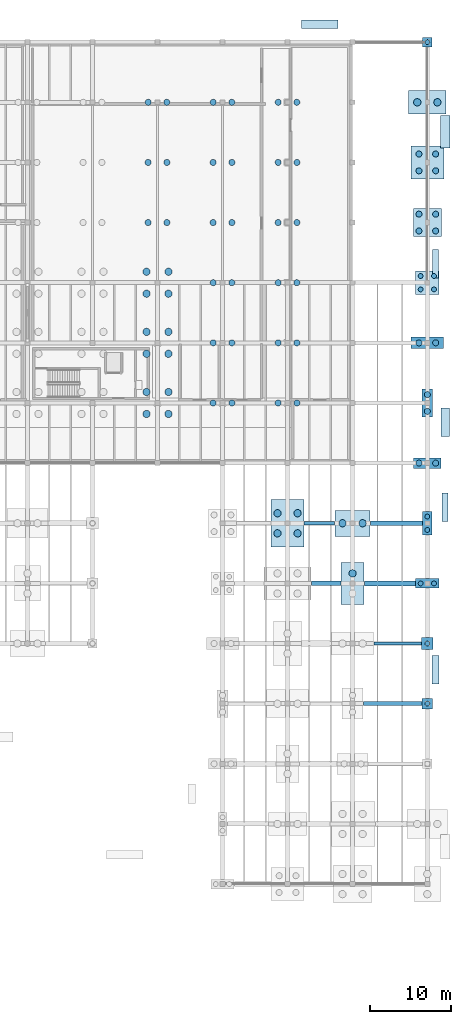
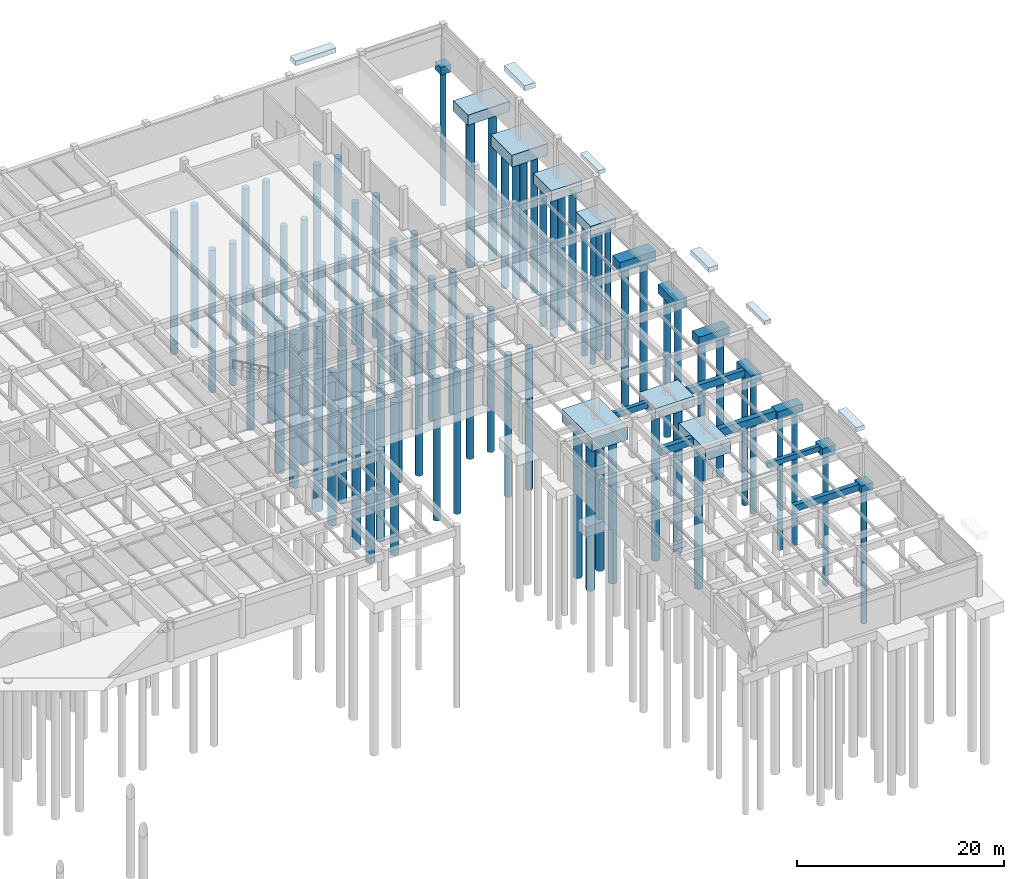
# One storey, part 7 of 40: 76 piles, 27 footings.
"""IFC4 building model written with IfcOpenShell, lengths in metres."""

from ifc_helpers import new_model, si_unit, direction, frame, origin, origin_2d, place, context, subcontext, project, spatial, polyline, rectangle, circle, outline, extrude, material, material_profile, profile_set, type_object, element, save


model = new_model("IFC4")

# Units and contexts
model_context = context("Model", 3, precision=1e-05, world=origin(), true_north=direction((0.0, 1.0)))
body_context = subcontext(model_context, "Body", "Model", "MODEL_VIEW")
ifc_project = project(units=[si_unit("LENGTHUNIT", "METRE"), si_unit("AREAUNIT", "SQUARE_METRE"), si_unit("VOLUMEUNIT", "CUBIC_METRE"), si_unit("PLANEANGLEUNIT", "RADIAN"), si_unit("MASSUNIT", "GRAM", prefix="KILO")], contexts=[model_context])

# Site, building, storey
site_placement = place(None, origin())
site = spatial("IfcSite", under=ifc_project, at=site_placement, CompositionType="ELEMENT")
building_placement = place(site_placement, origin())
building = spatial("IfcBuilding", under=site, at=building_placement, Name="Valkorina Park Police Headquarters", CompositionType="ELEMENT")
storey_placement = place(building_placement, frame((0.0, 0.0, -4.800048828125)))
storey = spatial("IfcBuildingStorey", under=building, at=storey_placement, Name="B01", CompositionType="ELEMENT", Elevation=-4.800048828125)

# Footings
ifc_material_1 = material(Name="Concrete C30/37", Category="concrete")
ifc_material_profile_1 = material_profile(ifc_material_1, rectangle(XDim=0.39990234375, YDim=0.60009765625, at=origin_2d()), Name="GB 400x600")
ifc_profile_set_1 = profile_set([ifc_material_profile_1], Name="Concrete C30/37")
footing_type_1 = type_object("IfcFootingType", Name="FT-GB-01", PredefinedType="FOOTING_BEAM", material=ifc_profile_set_1)
footing_1_placement = place(storey_placement, frame((0.0, 0.0, -0.599853515625)))
element("IfcFooting", 1, at=footing_1_placement, inside=storey, type_object=footing_type_1, Name="Pile Cap Tie Beam GB-01 #55", PredefinedType="FOOTING_BEAM", context=body_context, shape_type="SweptSolid", body=[
    extrude(outline(polyline([(161.2548828125, 36.800048828125), (161.2548828125, 37.199951171875), (155.419921875, 37.199951171875), (155.419921875, 36.800048828125), (161.2548828125, 36.800048828125)])), origin(), (0.0, 0.0, 1.0), 0.599853515625),
])
ifc_material_profile_2 = material_profile(ifc_material_1, rectangle(XDim=0.449951171875, YDim=0.699951171875, at=origin_2d()), Name="GB 450x700")
ifc_profile_set_2 = profile_set([ifc_material_profile_2], Name="Concrete C30/37")
footing_type_2 = type_object("IfcFootingType", Name="FT-GB-02", PredefinedType="FOOTING_BEAM", material=ifc_profile_set_2)
footing_2_placement = place(storey_placement, frame((0.0, 0.0, -0.699951171875)))
element("IfcFooting", 2, at=footing_2_placement, inside=storey, type_object=footing_type_2, Name="Pile Cap Tie Beam GB-02 #62", PredefinedType="FOOTING_BEAM", context=body_context, shape_type="SweptSolid", body=[
    extrude(outline(polyline([(150.60498046875, 51.574951171875), (150.60498046875, 52.02490234375), (146.844970703125, 52.02490234375), (146.844970703125, 51.574951171875), (150.60498046875, 51.574951171875)])), origin(), (0.0, 0.0, 1.0), 0.699951171875),
])
ifc_material_profile_3 = material_profile(ifc_material_1, rectangle(XDim=0.5, YDim=0.800048828125, at=origin_2d()), Name="GB 500x800")
ifc_profile_set_3 = profile_set([ifc_material_profile_3], Name="Concrete C30/37")
footing_type_3 = type_object("IfcFootingType", Name="FT-GB-03", PredefinedType="FOOTING_BEAM", material=ifc_profile_set_3)
footing_3_placement = place(storey_placement, frame((0.0, 0.0, -0.800048828125)))
element("IfcFooting", 3, at=footing_3_placement, inside=storey, type_object=footing_type_3, Name="Pile Cap Tie Beam GB-03 #51", PredefinedType="FOOTING_BEAM", context=body_context, shape_type="SweptSolid", body=[
    extrude(outline(polyline([(161.330078125, 29.35009765625), (161.330078125, 29.85009765625), (154.1201171875, 29.85009765625), (154.1201171875, 29.35009765625), (161.330078125, 29.35009765625)])), origin(), (0.0, 0.0, 1.0), 0.800048828125),
])
footing_4_placement = place(storey_placement, frame((0.0, 0.0, -0.800048828125)))
element("IfcFooting", 4, at=footing_4_placement, inside=storey, type_object=footing_type_3, Name="Pile Cap Tie Beam GB-03 #63", PredefinedType="FOOTING_BEAM", context=body_context, shape_type="SweptSolid", body=[
    extrude(outline(polyline([(161.405029296875, 51.550048828125), (161.405029296875, 52.050048828125), (154.9951171875, 52.050048828125), (154.9951171875, 51.550048828125), (161.405029296875, 51.550048828125)])), origin(), (0.0, 0.0, 1.0), 0.800048828125),
])
ifc_material_2 = material(Name="Concrete C35/45", Category="concrete")
ifc_material_profile_4 = material_profile(ifc_material_2, rectangle(XDim=0.550048828125, YDim=0.85009765625, at=origin_2d()), Name="GB 550x850")
ifc_profile_set_4 = profile_set([ifc_material_profile_4], Name="Concrete C35/45")
footing_type_4 = type_object("IfcFootingType", Name="FT-GB-04", PredefinedType="FOOTING_BEAM", material=ifc_profile_set_4)
footing_5_placement = place(storey_placement, frame((0.0, 0.0, -0.849853515625)))
element("IfcFooting", 5, at=footing_5_placement, inside=storey, type_object=footing_type_4, Name="Pile Cap Tie Beam GB-04 #58", PredefinedType="FOOTING_BEAM", context=body_context, shape_type="SweptSolid", body=[
    extrude(outline(polyline([(151.35498046875, 44.125), (151.35498046875, 44.675048828125), (147.719970703125, 44.675048828125), (147.719970703125, 44.125), (151.35498046875, 44.125)])), origin(), (0.0, 0.0, 1.0), 0.849853515625),
])
ifc_material_profile_5 = material_profile(ifc_material_2, rectangle(XDim=0.60009765625, YDim=0.949951171875, at=origin_2d()), Name="GB 600x950")
ifc_profile_set_5 = profile_set([ifc_material_profile_5], Name="Concrete C35/45")
footing_type_5 = type_object("IfcFootingType", Name="FT-GB-05", PredefinedType="FOOTING_BEAM", material=ifc_profile_set_5)
footing_6_placement = place(storey_placement, frame((0.0, 0.0, -0.949951171875)))
element("IfcFooting", 6, at=footing_6_placement, inside=storey, type_object=footing_type_5, Name="Pile Cap Tie Beam GB-05 #59", PredefinedType="FOOTING_BEAM", context=body_context, shape_type="SweptSolid", body=[
    extrude(outline(polyline([(160.554931640625, 44.10009765625), (160.554931640625, 44.699951171875), (154.2451171875, 44.699951171875), (154.2451171875, 44.10009765625), (160.554931640625, 44.10009765625)])), origin(), (0.0, 0.0, 1.0), 0.949951171875),
])
ifc_material_3 = material(Name="Concrete C40/50", Category="concrete")
footing_type_6 = type_object("IfcFootingType", Name="FT-PC-01", PredefinedType="PILE_CAP", material=ifc_material_3)
footing_7_placement = place(storey_placement, frame((162.0, 111.0, -0.89990234375), z_axis=(0.0, 0.0, 1.0), x_axis=(1.0, 0.0, 0.0)))
element("IfcFooting", 7, at=footing_7_placement, inside=storey, type_object=footing_type_6, Name="Pile Cap PC-01 #91", PredefinedType="PILE_CAP", context=body_context, shape_type="SweptSolid", body=[
    extrude(rectangle(XDim=1.14990234375, YDim=1.14990234375, at=origin_2d()), origin(), (0.0, 0.0, 1.0), 0.89990234375),
])
footing_type_7 = type_object("IfcFootingType", Name="FT-PC-02", PredefinedType="PILE_CAP", material=ifc_material_3)
footing_8_placement = place(storey_placement, frame((162.0, 29.60009765625, -0.94970703125), z_axis=(0.0, 0.0, 1.0), x_axis=(1.0, 0.0, 0.0)))
element("IfcFooting", 8, at=footing_8_placement, inside=storey, type_object=footing_type_7, Name="Pile Cap PC-02 #80", PredefinedType="PILE_CAP", context=body_context, shape_type="SweptSolid", body=[
    extrude(rectangle(XDim=1.300048828125, YDim=1.300048828125, at=origin_2d()), origin(), (0.0, 0.0, 1.0), 0.949951171875),
])
footing_type_8 = type_object("IfcFootingType", Name="FT-PC-03", PredefinedType="PILE_CAP", material=ifc_material_3)
footing_9_placement = place(storey_placement, frame((162.0, 37.0, -1.0498046875), z_axis=(0.0, 0.0, 1.0), x_axis=(1.0, 0.0, 0.0)))
element("IfcFooting", 9, at=footing_9_placement, inside=storey, type_object=footing_type_8, Name="Pile Cap PC-03 #81", PredefinedType="PILE_CAP", context=body_context, shape_type="SweptSolid", body=[
    extrude(rectangle(XDim=1.449951171875, YDim=1.449951171875, at=origin_2d()), origin(), (0.0, 0.0, 1.0), 1.050048828125),
])
footing_type_9 = type_object("IfcFootingType", Name="FT-PC-04", PredefinedType="PILE_CAP", material=ifc_material_3)
footing_10_placement = place(storey_placement, frame((162.0, 44.39990234375, -0.94970703125), z_axis=(0.0, 0.0, 1.0), x_axis=(1.0, 0.0, 0.0)))
element("IfcFooting", 10, at=footing_10_placement, inside=storey, type_object=footing_type_9, Name="Pile Cap PC-04 #82", PredefinedType="PILE_CAP", context=body_context, shape_type="SweptSolid", body=[
    extrude(rectangle(XDim=2.85009765625, YDim=1.14990234375, at=origin_2d()), origin(), (0.0, 0.0, 1.0), 0.949951171875),
])
footing_type_10 = type_object("IfcFootingType", Name="FT-PC-05", PredefinedType="PILE_CAP", material=ifc_material_3)
footing_11_placement = place(storey_placement, frame((162.0, 51.800048828125, -0.94970703125), z_axis=(0.0, 0.0, 1.0), x_axis=(1.0, 0.0, 0.0)))
element("IfcFooting", 11, at=footing_11_placement, inside=storey, type_object=footing_type_10, Name="Pile Cap PC-05 #83", PredefinedType="PILE_CAP", context=body_context, shape_type="SweptSolid", body=[
    extrude(rectangle(XDim=1.14990234375, YDim=2.85009765625, at=origin_2d()), origin(), (0.0, 0.0, 1.0), 0.949951171875),
])
footing_type_11 = type_object("IfcFootingType", Name="FT-PC-06", PredefinedType="PILE_CAP", material=ifc_material_3)
footing_12_placement = place(storey_placement, frame((162.0, 59.199951171875, -1.0498046875), z_axis=(0.0, 0.0, 1.0), x_axis=(1.0, 0.0, 0.0)))
element("IfcFooting", 12, at=footing_12_placement, inside=storey, type_object=footing_type_11, Name="Pile Cap PC-06 #84", PredefinedType="PILE_CAP", context=body_context, shape_type="SweptSolid", body=[
    extrude(rectangle(XDim=3.39990234375, YDim=1.300048828125, at=origin_2d()), origin(), (0.0, 0.0, 1.0), 1.050048828125),
])
footing_type_12 = type_object("IfcFootingType", Name="FT-PC-07", PredefinedType="PILE_CAP", material=ifc_material_3)
footing_13_placement = place(storey_placement, frame((162.0, 66.60009765625, -1.0498046875), z_axis=(0.0, 0.0, 1.0), x_axis=(1.0, 0.0, 0.0)))
element("IfcFooting", 13, at=footing_13_placement, inside=storey, type_object=footing_type_12, Name="Pile Cap PC-07 #85", PredefinedType="PILE_CAP", context=body_context, shape_type="SweptSolid", body=[
    extrude(rectangle(XDim=1.300048828125, YDim=3.39990234375, at=origin_2d()), origin(), (0.0, 0.0, 1.0), 1.050048828125),
])
footing_type_13 = type_object("IfcFootingType", Name="FT-PC-08", PredefinedType="PILE_CAP", material=ifc_material_3)
footing_14_placement = place(storey_placement, frame((162.0, 74.0, -1.19970703125), z_axis=(0.0, 0.0, 1.0), x_axis=(1.0, 0.0, 0.0)))
element("IfcFooting", 14, at=footing_14_placement, inside=storey, type_object=footing_type_13, Name="Pile Cap PC-08 #86", PredefinedType="PILE_CAP", context=body_context, shape_type="SweptSolid", body=[
    extrude(rectangle(XDim=4.0, YDim=1.449951171875, at=origin_2d()), origin(), (0.0, 0.0, 1.0), 1.199951171875),
])
footing_type_14 = type_object("IfcFootingType", Name="FT-PC-09", PredefinedType="PILE_CAP", material=ifc_material_3)
footing_15_placement = place(storey_placement, frame((162.0, 81.39990234375, -1.10009765625), z_axis=(0.0, 0.0, 1.0), x_axis=(1.0, 0.0, 0.0)))
element("IfcFooting", 15, at=footing_15_placement, inside=storey, type_object=footing_type_14, Name="Pile Cap PC-09 #87", PredefinedType="PILE_CAP", context=body_context, shape_type="SweptSolid", body=[
    extrude(rectangle(XDim=2.85009765625, YDim=2.85009765625, at=origin_2d()), origin(), (0.0, 0.0, 1.0), 1.10009765625),
])
footing_type_15 = type_object("IfcFootingType", Name="FT-PC-10", PredefinedType="PILE_CAP", material=ifc_material_3)
footing_16_placement = place(storey_placement, frame((162.0, 88.800048828125, -1.25), z_axis=(0.0, 0.0, 1.0), x_axis=(1.0, 0.0, 0.0)))
element("IfcFooting", 16, at=footing_16_placement, inside=storey, type_object=footing_type_15, Name="Pile Cap PC-10 #88", PredefinedType="PILE_CAP", context=body_context, shape_type="SweptSolid", body=[
    extrude(rectangle(XDim=3.449951171875, YDim=3.449951171875, at=origin_2d()), origin(), (0.0, 0.0, 1.0), 1.25),
])
footing_type_16 = type_object("IfcFootingType", Name="FT-PC-11", PredefinedType="PILE_CAP", material=ifc_material_3)
footing_17_placement = place(storey_placement, frame((162.0, 96.199951171875, -1.39990234375), z_axis=(0.0, 0.0, 1.0), x_axis=(1.0, 0.0, 0.0)))
element("IfcFooting", 17, at=footing_17_placement, inside=storey, type_object=footing_type_16, Name="Pile Cap PC-11 #89", PredefinedType="PILE_CAP", context=body_context, shape_type="SweptSolid", body=[
    extrude(rectangle(XDim=4.050048828125, YDim=4.050048828125, at=origin_2d()), origin(), (0.0, 0.0, 1.0), 1.39990234375),
])
footing_type_17 = type_object("IfcFootingType", Name="FT-PC-12", PredefinedType="PILE_CAP", material=ifc_material_3)
footing_18_placement = place(storey_placement, frame((162.0, 103.60009765625, -1.19970703125), z_axis=(0.0, 0.0, 1.0), x_axis=(1.0, 0.0, 0.0)))
element("IfcFooting", 18, at=footing_18_placement, inside=storey, type_object=footing_type_17, Name="Pile Cap PC-12 #90", PredefinedType="PILE_CAP", context=body_context, shape_type="SweptSolid", body=[
    extrude(rectangle(XDim=4.64990234375, YDim=2.85009765625, at=origin_2d()), origin(), (0.0, 0.0, 1.0), 1.199951171875),
])
footing_type_18 = type_object("IfcFootingType", Name="FT-PC-17", PredefinedType="PILE_CAP", material=ifc_material_3)
footing_19_placement = place(storey_placement, frame((144.800048828125, 51.800048828125, -1.5), z_axis=(0.0, 0.0, 1.0), x_axis=(1.0, 0.0, 0.0)))
element("IfcFooting", 19, at=footing_19_placement, inside=storey, type_object=footing_type_18, Name="Pile Cap PC-17 #69", PredefinedType="PILE_CAP", context=body_context, shape_type="SweptSolid", body=[
    extrude(rectangle(XDim=4.050048828125, YDim=5.800048828125, at=origin_2d()), origin(), (0.0, 0.0, 1.0), 1.5),
])
footing_type_19 = type_object("IfcFootingType", Name="FT-PC-23", PredefinedType="PILE_CAP", material=ifc_material_3)
footing_20_placement = place(storey_placement, frame((152.800048828125, 44.39990234375, -1.2998046875), z_axis=(0.0, 0.0, 1.0), x_axis=(1.0, 0.0, 0.0)))
element("IfcFooting", 20, at=footing_20_placement, inside=storey, type_object=footing_type_19, Name="Pile Cap PC-23 #75", PredefinedType="PILE_CAP", context=body_context, shape_type="SweptSolid", body=[
    extrude(rectangle(XDim=2.85009765625, YDim=5.199951171875, at=origin_2d()), origin(), (0.0, 0.0, 1.0), 1.300048828125),
])
footing_type_20 = type_object("IfcFootingType", Name="FT-PC-24", PredefinedType="PILE_CAP", material=ifc_material_3)
footing_21_placement = place(storey_placement, frame((152.800048828125, 51.800048828125, -1.25), z_axis=(0.0, 0.0, 1.0), x_axis=(1.0, 0.0, 0.0)))
element("IfcFooting", 21, at=footing_21_placement, inside=storey, type_object=footing_type_20, Name="Pile Cap PC-24 #76", PredefinedType="PILE_CAP", context=body_context, shape_type="SweptSolid", body=[
    extrude(rectangle(XDim=4.35009765625, YDim=3.199951171875, at=origin_2d()), origin(), (0.0, 0.0, 1.0), 1.25),
])
ifc_material_profile_6 = material_profile(ifc_material_2, rectangle(XDim=0.75, YDim=0.449951171875, at=origin_2d()), Name="SF 750x450")
ifc_profile_set_6 = profile_set([ifc_material_profile_6], Name="Concrete C35/45")
footing_type_21 = type_object("IfcFootingType", Name="FT-SF-01", PredefinedType="STRIP_FOOTING", material=ifc_profile_set_6)
footing_22_placement = place(storey_placement, frame((0.0, 0.0, 4.170166015625)))
element("IfcFooting", 22, at=footing_22_placement, inside=storey, type_object=footing_type_21, Name="Grade Apron Strip Footing SF-01 #25", PredefinedType="STRIP_FOOTING", context=body_context, shape_type="SweptSolid", body=[
    extrude(outline(polyline([(164.574951171875, 52.0), (164.574951171875, 55.5), (163.824951171875, 55.5), (163.824951171875, 52.0), (164.574951171875, 52.0)])), origin(), (0.0, 0.0, 1.0), 0.449951171875),
])
footing_23_placement = place(storey_placement, frame((0.0, 0.0, 4.170166015625)))
element("IfcFooting", 23, at=footing_23_placement, inside=storey, type_object=footing_type_21, Name="Grade Apron Strip Footing SF-01 #29", PredefinedType="STRIP_FOOTING", context=body_context, shape_type="SweptSolid", body=[
    extrude(outline(polyline([(163.375, 82.0), (163.375, 85.5), (162.625, 85.5), (162.625, 82.0), (163.375, 82.0)])), origin(), (0.0, 0.0, 1.0), 0.449951171875),
])
ifc_material_profile_7 = material_profile(ifc_material_2, rectangle(XDim=0.89990234375, YDim=0.5, at=origin_2d()), Name="SF 900x500")
ifc_profile_set_7 = profile_set([ifc_material_profile_7], Name="Concrete C35/45")
footing_type_22 = type_object("IfcFootingType", Name="FT-SF-02", PredefinedType="STRIP_FOOTING", material=ifc_profile_set_7)
footing_24_placement = place(storey_placement, frame((0.0, 0.0, 4.1201171875)))
element("IfcFooting", 24, at=footing_24_placement, inside=storey, type_object=footing_type_22, Name="Grade Apron Strip Footing SF-02 #26", PredefinedType="STRIP_FOOTING", context=body_context, shape_type="SweptSolid", body=[
    extrude(outline(polyline([(163.449951171875, 32.0), (163.449951171875, 35.5), (162.550048828125, 35.5), (162.550048828125, 32.0), (163.449951171875, 32.0)])), origin(), (0.0, 0.0, 1.0), 0.5),
])
ifc_material_profile_8 = material_profile(ifc_material_2, rectangle(XDim=1.050048828125, YDim=0.550048828125, at=origin_2d()), Name="SF 1050x550")
ifc_profile_set_8 = profile_set([ifc_material_profile_8], Name="Concrete C35/45")
footing_type_23 = type_object("IfcFootingType", Name="FT-SF-03", PredefinedType="STRIP_FOOTING", material=ifc_profile_set_8)
footing_25_placement = place(storey_placement, frame((0.0, 0.0, 4.070068359375)))
element("IfcFooting", 25, at=footing_25_placement, inside=storey, type_object=footing_type_23, Name="Grade Apron Strip Footing SF-03 #19", PredefinedType="STRIP_FOOTING", context=body_context, shape_type="SweptSolid", body=[
    extrude(outline(polyline([(151.0, 112.675048828125), (151.0, 113.72509765625), (146.5, 113.72509765625), (146.5, 112.675048828125), (151.0, 112.675048828125)])), origin(), (0.0, 0.0, 1.0), 0.550048828125),
])
footing_26_placement = place(storey_placement, frame((0.0, 0.0, 4.070068359375)))
element("IfcFooting", 26, at=footing_26_placement, inside=storey, type_object=footing_type_23, Name="Grade Apron Strip Footing SF-03 #27", PredefinedType="STRIP_FOOTING", context=body_context, shape_type="SweptSolid", body=[
    extrude(outline(polyline([(164.72509765625, 62.5), (164.72509765625, 66.0), (163.675048828125, 66.0), (163.675048828125, 62.5), (164.72509765625, 62.5)])), origin(), (0.0, 0.0, 1.0), 0.550048828125),
])
ifc_material_profile_9 = material_profile(ifc_material_2, rectangle(XDim=1.199951171875, YDim=0.60009765625, at=origin_2d()), Name="SF 1200x600")
ifc_profile_set_9 = profile_set([ifc_material_profile_9], Name="Concrete C35/45")
footing_type_24 = type_object("IfcFootingType", Name="FT-SF-04", PredefinedType="STRIP_FOOTING", material=ifc_profile_set_9)
footing_27_placement = place(storey_placement, frame((0.0, 0.0, 4.02001953125)))
element("IfcFooting", 27, at=footing_27_placement, inside=storey, type_object=footing_type_24, Name="Grade Apron Strip Footing SF-04 #28", PredefinedType="STRIP_FOOTING", context=body_context, shape_type="SweptSolid", body=[
    extrude(outline(polyline([(164.800048828125, 98.0), (164.800048828125, 102.0), (163.60009765625, 102.0), (163.60009765625, 98.0), (164.800048828125, 98.0)])), origin(), (0.0, 0.0, 1.0), 0.60009765625),
])

# Piles
ifc_material_profile_10 = material_profile(ifc_material_1, circle(Radius=0.300048828125, at=origin_2d()), Name="BORED PILE D600")
ifc_profile_set_10 = profile_set([ifc_material_profile_10], Name="Concrete C30/37")
pile_type_1 = type_object("IfcPileType", Name="PL-BORED-D600", PredefinedType="BORED", material=ifc_profile_set_10)
pile_1_placement = place(storey_placement, frame((162.0, 29.60009765625, -0.800048828125), z_axis=(0.0, 0.0, -1.0), x_axis=(1.0, 0.0, 0.0)))
element("IfcPile", 28, at=pile_1_placement, inside=storey, type_object=pile_type_1, Name="Bored Pile 0545 (Cap PC-02)", PredefinedType="BORED", context=body_context, shape_type="SweptSolid", body=[
    extrude(circle(Radius=0.300048828125, at=origin_2d()), origin(), (0.0, 0.0, 1.0), 15.89990234375),
])
pile_2_placement = place(storey_placement, frame((162.0, 37.0, -0.89990234375), z_axis=(0.0, 0.0, -1.0), x_axis=(1.0, 0.0, 0.0)))
element("IfcPile", 29, at=pile_2_placement, inside=storey, type_object=pile_type_1, Name="Bored Pile 0546 (Cap PC-03)", PredefinedType="BORED", context=body_context, shape_type="SweptSolid", body=[
    extrude(circle(Radius=0.300048828125, at=origin_2d()), origin(), (0.0, 0.0, 1.0), 15.800048828125),
])
for number, where, z_axis, x_axis, name in (
    (30, (161.175048828125, 44.39990234375, -0.800048828125), (0.0, 0.0, -1.0), (1.0, 0.0, 0.0), "Bored Pile 0547 (Cap PC-04)"),
    (31, (162.824951171875, 44.39990234375, -0.800048828125), (0.0, 0.0, -1.0), (1.0, 0.0, 0.0), "Bored Pile 0548 (Cap PC-04)"),
    (32, (162.0, 50.97509765625, -0.800048828125), (0.0, 0.0, -1.0), (1.0, 0.0, 0.0), "Bored Pile 0549 (Cap PC-05)"),
    (33, (162.0, 52.625, -0.800048828125), (0.0, 0.0, -1.0), (1.0, 0.0, 0.0), "Bored Pile 0550 (Cap PC-05)"),
):
    element("IfcPile", number, at=place(storey_placement, frame(where, z_axis=z_axis, x_axis=x_axis)), inside=storey, type_object=pile_type_1, Name=name, PredefinedType="BORED", context=body_context, shape_type="SweptSolid", body=[
        extrude(circle(Radius=0.300048828125, at=origin_2d()), origin(), (0.0, 0.0, 1.0), 15.89990234375),
    ])
for number, where, z_axis, x_axis, name in (
    (34, (161.175048828125, 80.574951171875, -0.949951171875), (0.0, 0.0, -1.0), (1.0, 0.0, 0.0), "Bored Pile 0557 (Cap PC-09)"),
    (35, (161.175048828125, 82.22509765625, -0.949951171875), (0.0, 0.0, -1.0), (1.0, 0.0, 0.0), "Bored Pile 0558 (Cap PC-09)"),
    (36, (162.824951171875, 80.574951171875, -0.949951171875), (0.0, 0.0, -1.0), (1.0, 0.0, 0.0), "Bored Pile 0559 (Cap PC-09)"),
    (37, (162.824951171875, 82.22509765625, -0.949951171875), (0.0, 0.0, -1.0), (1.0, 0.0, 0.0), "Bored Pile 0560 (Cap PC-09)"),
):
    element("IfcPile", number, at=place(storey_placement, frame(where, z_axis=z_axis, x_axis=x_axis)), inside=storey, type_object=pile_type_1, Name=name, PredefinedType="BORED", context=body_context, shape_type="SweptSolid", body=[
        extrude(circle(Radius=0.300048828125, at=origin_2d()), origin(), (0.0, 0.0, 1.0), 15.75),
    ])
pile_3_placement = place(storey_placement, frame((162.0, 111.0, -0.75), z_axis=(0.0, 0.0, -1.0), x_axis=(1.0, 0.0, 0.0)))
element("IfcPile", 38, at=pile_3_placement, inside=storey, type_object=pile_type_1, Name="Bored Pile 0571 (Cap PC-01)", PredefinedType="BORED", context=body_context, shape_type="SweptSolid", body=[
    extrude(circle(Radius=0.300048828125, at=origin_2d()), origin(), (0.0, 0.0, 1.0), 15.949951171875),
])
ifc_material_profile_11 = material_profile(ifc_material_1, circle(Radius=0.375, at=origin_2d()), Name="BORED PILE D750")
ifc_profile_set_11 = profile_set([ifc_material_profile_11], Name="Concrete C30/37")
pile_type_2 = type_object("IfcPileType", Name="PL-BORED-D750", PredefinedType="BORED", material=ifc_profile_set_11)
for number, where, z_axis, x_axis, name in (
    (39, (127.64990234375, 88.800048828125, -0.89990234375), (0.0, 0.0, -1.0), (1.0, 0.0, 0.0), "Bored Pile 0325 (Raft Cluster)"),
    (40, (129.949951171875, 88.800048828125, -0.89990234375), (0.0, 0.0, -1.0), (1.0, 0.0, 0.0), "Bored Pile 0326 (Raft Cluster)"),
    (41, (127.64990234375, 96.199951171875, -0.89990234375), (0.0, 0.0, -1.0), (1.0, 0.0, 0.0), "Bored Pile 0327 (Raft Cluster)"),
    (42, (129.949951171875, 96.199951171875, -0.89990234375), (0.0, 0.0, -1.0), (1.0, 0.0, 0.0), "Bored Pile 0328 (Raft Cluster)"),
    (43, (127.64990234375, 103.60009765625, -0.89990234375), (0.0, 0.0, -1.0), (1.0, 0.0, 0.0), "Bored Pile 0329 (Raft Cluster)"),
    (44, (129.949951171875, 103.60009765625, -0.89990234375), (0.0, 0.0, -1.0), (1.0, 0.0, 0.0), "Bored Pile 0330 (Raft Cluster)"),
    (45, (135.64990234375, 66.60009765625, -0.89990234375), (0.0, 0.0, -1.0), (1.0, 0.0, 0.0), "Bored Pile 0331 (Raft Cluster)"),
    (46, (137.949951171875, 66.60009765625, -0.89990234375), (0.0, 0.0, -1.0), (1.0, 0.0, 0.0), "Bored Pile 0332 (Raft Cluster)"),
    (47, (135.64990234375, 74.0, -0.89990234375), (0.0, 0.0, -1.0), (1.0, 0.0, 0.0), "Bored Pile 0333 (Raft Cluster)"),
    (48, (137.949951171875, 74.0, -0.89990234375), (0.0, 0.0, -1.0), (1.0, 0.0, 0.0), "Bored Pile 0334 (Raft Cluster)"),
    (49, (135.64990234375, 81.39990234375, -0.89990234375), (0.0, 0.0, -1.0), (1.0, 0.0, 0.0), "Bored Pile 0335 (Raft Cluster)"),
    (50, (137.949951171875, 81.39990234375, -0.89990234375), (0.0, 0.0, -1.0), (1.0, 0.0, 0.0), "Bored Pile 0336 (Raft Cluster)"),
    (51, (135.64990234375, 88.800048828125, -0.89990234375), (0.0, 0.0, -1.0), (1.0, 0.0, 0.0), "Bored Pile 0337 (Raft Cluster)"),
    (52, (137.949951171875, 88.800048828125, -0.89990234375), (0.0, 0.0, -1.0), (1.0, 0.0, 0.0), "Bored Pile 0338 (Raft Cluster)"),
    (53, (135.64990234375, 96.199951171875, -0.89990234375), (0.0, 0.0, -1.0), (1.0, 0.0, 0.0), "Bored Pile 0339 (Raft Cluster)"),
    (54, (137.949951171875, 96.199951171875, -0.89990234375), (0.0, 0.0, -1.0), (1.0, 0.0, 0.0), "Bored Pile 0340 (Raft Cluster)"),
    (55, (135.64990234375, 103.60009765625, -0.89990234375), (0.0, 0.0, -1.0), (1.0, 0.0, 0.0), "Bored Pile 0341 (Raft Cluster)"),
    (56, (137.949951171875, 103.60009765625, -0.89990234375), (0.0, 0.0, -1.0), (1.0, 0.0, 0.0), "Bored Pile 0342 (Raft Cluster)"),
    (57, (143.64990234375, 66.60009765625, -0.89990234375), (0.0, 0.0, -1.0), (1.0, 0.0, 0.0), "Bored Pile 0343 (Raft Cluster)"),
    (58, (145.949951171875, 66.60009765625, -0.89990234375), (0.0, 0.0, -1.0), (1.0, 0.0, 0.0), "Bored Pile 0344 (Raft Cluster)"),
    (59, (143.64990234375, 74.0, -0.89990234375), (0.0, 0.0, -1.0), (1.0, 0.0, 0.0), "Bored Pile 0345 (Raft Cluster)"),
    (60, (145.949951171875, 74.0, -0.89990234375), (0.0, 0.0, -1.0), (1.0, 0.0, 0.0), "Bored Pile 0346 (Raft Cluster)"),
    (61, (143.64990234375, 81.39990234375, -0.89990234375), (0.0, 0.0, -1.0), (1.0, 0.0, 0.0), "Bored Pile 0347 (Raft Cluster)"),
    (62, (145.949951171875, 81.39990234375, -0.89990234375), (0.0, 0.0, -1.0), (1.0, 0.0, 0.0), "Bored Pile 0348 (Raft Cluster)"),
    (63, (143.64990234375, 88.800048828125, -0.89990234375), (0.0, 0.0, -1.0), (1.0, 0.0, 0.0), "Bored Pile 0349 (Raft Cluster)"),
    (64, (145.949951171875, 88.800048828125, -0.89990234375), (0.0, 0.0, -1.0), (1.0, 0.0, 0.0), "Bored Pile 0350 (Raft Cluster)"),
    (65, (143.64990234375, 96.199951171875, -0.89990234375), (0.0, 0.0, -1.0), (1.0, 0.0, 0.0), "Bored Pile 0351 (Raft Cluster)"),
    (66, (145.949951171875, 96.199951171875, -0.89990234375), (0.0, 0.0, -1.0), (1.0, 0.0, 0.0), "Bored Pile 0352 (Raft Cluster)"),
    (67, (143.64990234375, 103.60009765625, -0.89990234375), (0.0, 0.0, -1.0), (1.0, 0.0, 0.0), "Bored Pile 0353 (Raft Cluster)"),
    (68, (145.949951171875, 103.60009765625, -0.89990234375), (0.0, 0.0, -1.0), (1.0, 0.0, 0.0), "Bored Pile 0354 (Raft Cluster)"),
    (69, (160.96875, 59.199951171875, -0.89990234375), (0.0, 0.0, -1.0), (1.0, 0.0, 0.0), "Bored Pile 0551 (Cap PC-06)"),
    (70, (163.03125, 59.199951171875, -0.89990234375), (0.0, 0.0, -1.0), (1.0, 0.0, 0.0), "Bored Pile 0552 (Cap PC-06)"),
    (71, (162.0, 65.568603515625, -0.89990234375), (0.0, 0.0, -1.0), (1.0, 0.0, 0.0), "Bored Pile 0553 (Cap PC-07)"),
    (72, (162.0, 67.631103515625, -0.89990234375), (0.0, 0.0, -1.0), (1.0, 0.0, 0.0), "Bored Pile 0554 (Cap PC-07)"),
):
    element("IfcPile", number, at=place(storey_placement, frame(where, z_axis=z_axis, x_axis=x_axis)), inside=storey, type_object=pile_type_2, Name=name, PredefinedType="BORED", context=body_context, shape_type="SweptSolid", body=[
        extrude(circle(Radius=0.375, at=origin_2d()), origin(), (0.0, 0.0, 1.0), 16.800048828125),
    ])
for number, where, z_axis, x_axis, name in (
    (73, (160.96875, 74.0, -1.050048828125), (0.0, 0.0, -1.0), (1.0, 0.0, 0.0), "Bored Pile 0555 (Cap PC-08)"),
    (74, (163.03125, 74.0, -1.050048828125), (0.0, 0.0, -1.0), (1.0, 0.0, 0.0), "Bored Pile 0556 (Cap PC-08)"),
):
    element("IfcPile", number, at=place(storey_placement, frame(where, z_axis=z_axis, x_axis=x_axis)), inside=storey, type_object=pile_type_2, Name=name, PredefinedType="BORED", context=body_context, shape_type="SweptSolid", body=[
        extrude(circle(Radius=0.375, at=origin_2d()), origin(), (0.0, 0.0, 1.0), 16.64990234375),
    ])
for number, where, z_axis, x_axis, name in (
    (75, (160.96875, 87.768798828125, -1.099853515625), (0.0, 0.0, -1.0), (1.0, 0.0, 0.0), "Bored Pile 0561 (Cap PC-10)"),
    (76, (160.96875, 89.831298828125, -1.099853515625), (0.0, 0.0, -1.0), (1.0, 0.0, 0.0), "Bored Pile 0562 (Cap PC-10)"),
    (77, (163.03125, 87.768798828125, -1.099853515625), (0.0, 0.0, -1.0), (1.0, 0.0, 0.0), "Bored Pile 0563 (Cap PC-10)"),
    (78, (163.03125, 89.831298828125, -1.099853515625), (0.0, 0.0, -1.0), (1.0, 0.0, 0.0), "Bored Pile 0564 (Cap PC-10)"),
):
    element("IfcPile", number, at=place(storey_placement, frame(where, z_axis=z_axis, x_axis=x_axis)), inside=storey, type_object=pile_type_2, Name=name, PredefinedType="BORED", context=body_context, shape_type="SweptSolid", body=[
        extrude(circle(Radius=0.375, at=origin_2d()), origin(), (0.0, 0.0, 1.0), 16.60009765625),
    ])
for number, where, z_axis, x_axis, name in (
    (79, (160.96875, 95.168701171875, -1.25), (0.0, 0.0, -1.0), (1.0, 0.0, 0.0), "Bored Pile 0565 (Cap PC-11)"),
    (80, (160.96875, 97.231201171875, -1.25), (0.0, 0.0, -1.0), (1.0, 0.0, 0.0), "Bored Pile 0566 (Cap PC-11)"),
    (81, (163.03125, 95.168701171875, -1.25), (0.0, 0.0, -1.0), (1.0, 0.0, 0.0), "Bored Pile 0567 (Cap PC-11)"),
    (82, (163.03125, 97.231201171875, -1.25), (0.0, 0.0, -1.0), (1.0, 0.0, 0.0), "Bored Pile 0568 (Cap PC-11)"),
):
    element("IfcPile", number, at=place(storey_placement, frame(where, z_axis=z_axis, x_axis=x_axis)), inside=storey, type_object=pile_type_2, Name=name, PredefinedType="BORED", context=body_context, shape_type="SweptSolid", body=[
        extrude(circle(Radius=0.375, at=origin_2d()), origin(), (0.0, 0.0, 1.0), 16.449951171875),
    ])
ifc_material_profile_12 = material_profile(ifc_material_2, circle(Radius=0.449951171875, at=origin_2d()), Name="BORED PILE D900")
ifc_profile_set_12 = profile_set([ifc_material_profile_12], Name="Concrete C35/45")
pile_type_3 = type_object("IfcPileType", Name="PL-BORED-D900", PredefinedType="BORED", material=ifc_profile_set_12)
for number, where, z_axis, x_axis, name in (
    (83, (127.449951171875, 65.25, -0.89990234375), (0.0, 0.0, -1.0), (1.0, 0.0, 0.0), "Bored Pile 0313 (Raft Cluster)"),
    (84, (130.14990234375, 65.25, -0.89990234375), (0.0, 0.0, -1.0), (1.0, 0.0, 0.0), "Bored Pile 0314 (Raft Cluster)"),
    (85, (127.449951171875, 67.949951171875, -0.89990234375), (0.0, 0.0, -1.0), (1.0, 0.0, 0.0), "Bored Pile 0315 (Raft Cluster)"),
    (86, (130.14990234375, 67.949951171875, -0.89990234375), (0.0, 0.0, -1.0), (1.0, 0.0, 0.0), "Bored Pile 0316 (Raft Cluster)"),
    (87, (127.449951171875, 72.64990234375, -0.89990234375), (0.0, 0.0, -1.0), (1.0, 0.0, 0.0), "Bored Pile 0317 (Raft Cluster)"),
    (88, (130.14990234375, 72.64990234375, -0.89990234375), (0.0, 0.0, -1.0), (1.0, 0.0, 0.0), "Bored Pile 0318 (Raft Cluster)"),
    (89, (127.449951171875, 75.35009765625, -0.89990234375), (0.0, 0.0, -1.0), (1.0, 0.0, 0.0), "Bored Pile 0319 (Raft Cluster)"),
    (90, (130.14990234375, 75.35009765625, -0.89990234375), (0.0, 0.0, -1.0), (1.0, 0.0, 0.0), "Bored Pile 0320 (Raft Cluster)"),
    (91, (127.449951171875, 80.050048828125, -0.89990234375), (0.0, 0.0, -1.0), (1.0, 0.0, 0.0), "Bored Pile 0321 (Raft Cluster)"),
    (92, (130.14990234375, 80.050048828125, -0.89990234375), (0.0, 0.0, -1.0), (1.0, 0.0, 0.0), "Bored Pile 0322 (Raft Cluster)"),
    (93, (127.449951171875, 82.75, -0.89990234375), (0.0, 0.0, -1.0), (1.0, 0.0, 0.0), "Bored Pile 0323 (Raft Cluster)"),
    (94, (130.14990234375, 82.75, -0.89990234375), (0.0, 0.0, -1.0), (1.0, 0.0, 0.0), "Bored Pile 0324 (Raft Cluster)"),
):
    element("IfcPile", number, at=place(storey_placement, frame(where, z_axis=z_axis, x_axis=x_axis)), inside=storey, type_object=pile_type_3, Name=name, PredefinedType="BORED", context=body_context, shape_type="SweptSolid", body=[
        extrude(circle(Radius=0.449951171875, at=origin_2d()), origin(), (0.0, 0.0, 1.0), 18.10009765625),
    ])
for number, where, z_axis, x_axis, name in (
    (95, (143.5625, 50.5625, -1.349853515625), (0.0, 0.0, -1.0), (1.0, 0.0, 0.0), "Bored Pile 0518 (Cap PC-17)"),
    (96, (143.5625, 53.03759765625, -1.349853515625), (0.0, 0.0, -1.0), (1.0, 0.0, 0.0), "Bored Pile 0519 (Cap PC-17)"),
    (97, (146.03759765625, 50.5625, -1.349853515625), (0.0, 0.0, -1.0), (1.0, 0.0, 0.0), "Bored Pile 0520 (Cap PC-17)"),
    (98, (146.03759765625, 53.03759765625, -1.349853515625), (0.0, 0.0, -1.0), (1.0, 0.0, 0.0), "Bored Pile 0521 (Cap PC-17)"),
):
    element("IfcPile", number, at=place(storey_placement, frame(where, z_axis=z_axis, x_axis=x_axis)), inside=storey, type_object=pile_type_3, Name=name, PredefinedType="BORED", context=body_context, shape_type="SweptSolid", body=[
        extrude(circle(Radius=0.449951171875, at=origin_2d()), origin(), (0.0, 0.0, 1.0), 17.64990234375),
    ])
pile_4_placement = place(storey_placement, frame((152.800048828125, 45.637451171875, -1.14990234375), z_axis=(0.0, 0.0, -1.0), x_axis=(1.0, 0.0, 0.0)))
element("IfcPile", 99, at=pile_4_placement, inside=storey, type_object=pile_type_3, Name="Bored Pile 0537 (Cap PC-23)", PredefinedType="BORED", context=body_context, shape_type="SweptSolid", body=[
    extrude(circle(Radius=0.449951171875, at=origin_2d()), origin(), (0.0, 0.0, 1.0), 17.85009765625),
])
for number, where, z_axis, x_axis, name in (
    (100, (151.5625, 51.800048828125, -1.099853515625), (0.0, 0.0, -1.0), (1.0, 0.0, 0.0), "Bored Pile 0538 (Cap PC-24)"),
    (101, (154.03759765625, 51.800048828125, -1.099853515625), (0.0, 0.0, -1.0), (1.0, 0.0, 0.0), "Bored Pile 0539 (Cap PC-24)"),
):
    element("IfcPile", number, at=place(storey_placement, frame(where, z_axis=z_axis, x_axis=x_axis)), inside=storey, type_object=pile_type_3, Name=name, PredefinedType="BORED", context=body_context, shape_type="SweptSolid", body=[
        extrude(circle(Radius=0.449951171875, at=origin_2d()), origin(), (0.0, 0.0, 1.0), 17.89990234375),
    ])
for number, where, z_axis, x_axis, name in (
    (102, (160.762451171875, 103.60009765625, -1.050048828125), (0.0, 0.0, -1.0), (1.0, 0.0, 0.0), "Bored Pile 0569 (Cap PC-12)"),
    (103, (163.237548828125, 103.60009765625, -1.050048828125), (0.0, 0.0, -1.0), (1.0, 0.0, 0.0), "Bored Pile 0570 (Cap PC-12)"),
):
    element("IfcPile", number, at=place(storey_placement, frame(where, z_axis=z_axis, x_axis=x_axis)), inside=storey, type_object=pile_type_3, Name=name, PredefinedType="BORED", context=body_context, shape_type="SweptSolid", body=[
        extrude(circle(Radius=0.449951171875, at=origin_2d()), origin(), (0.0, 0.0, 1.0), 17.949951171875),
    ])

save(model, "model.ifc")
